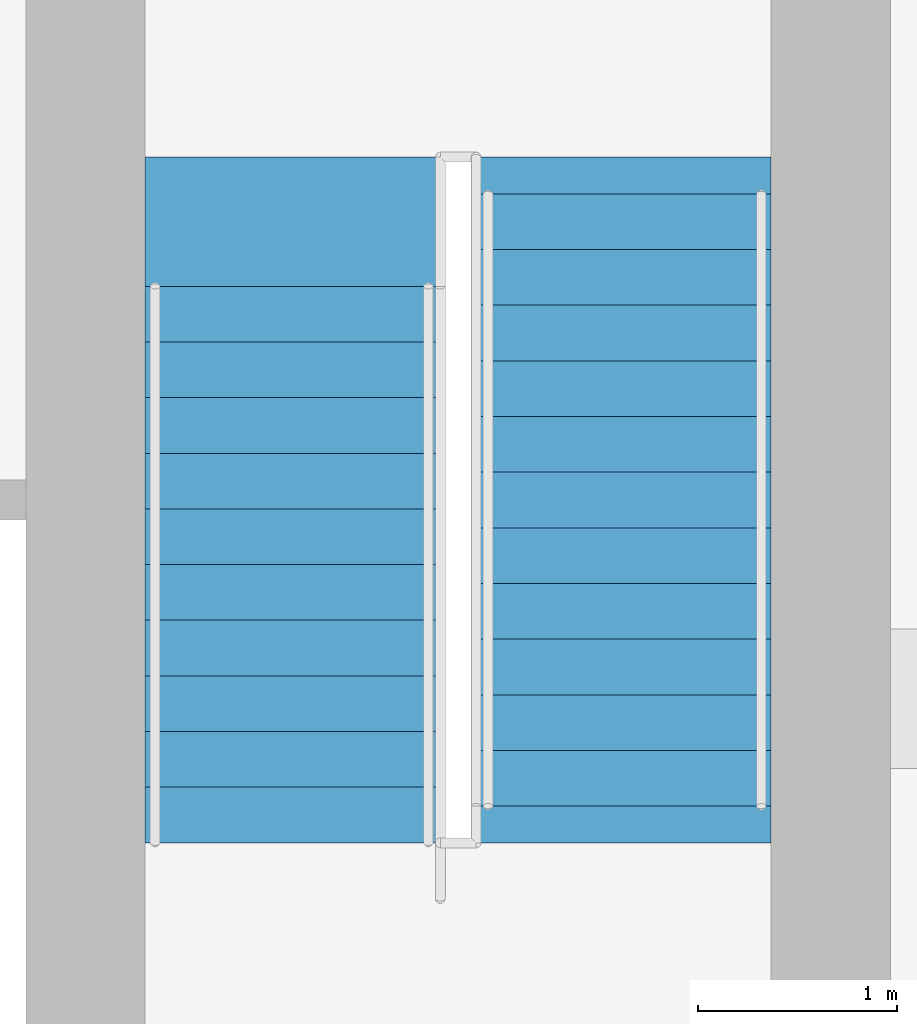
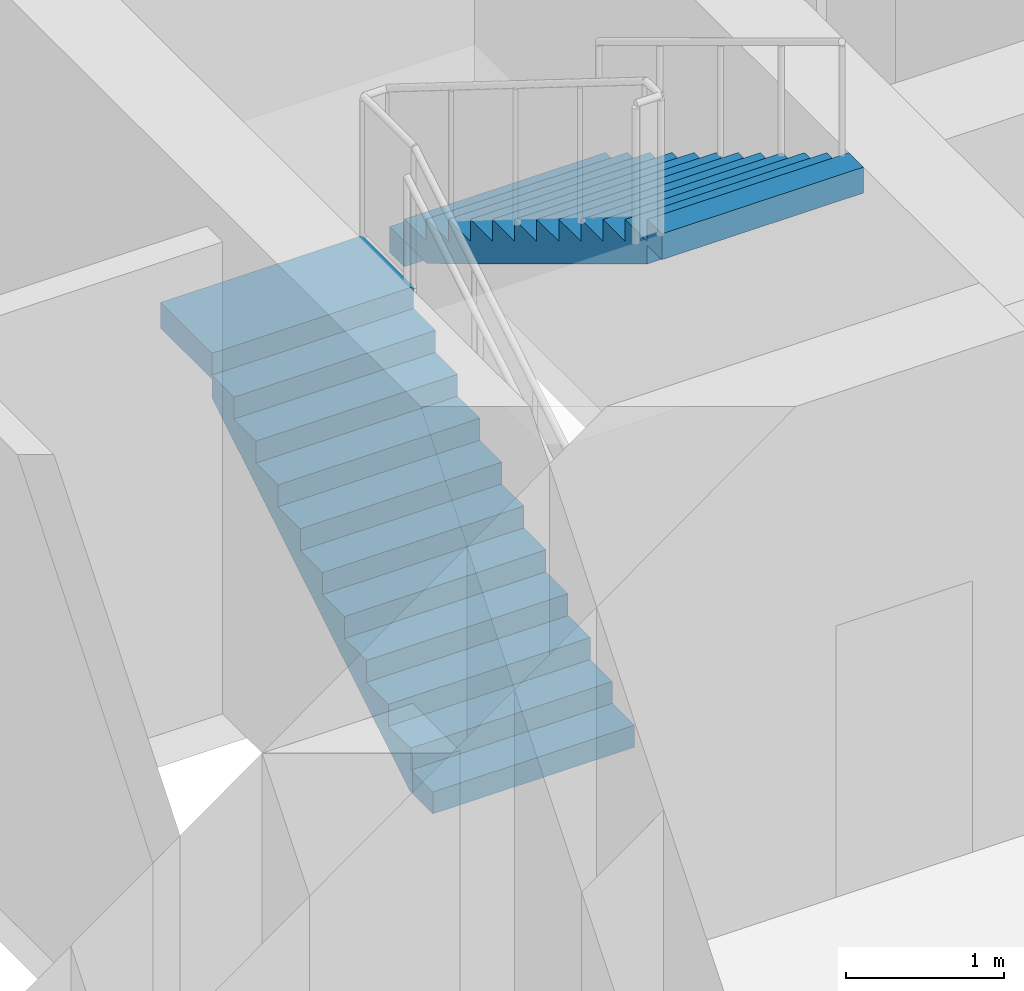
# One storey, part 6 of 7: 2 stair flights, 1 element without a shape of its own.
"""IFC4 building model written with IfcOpenShell, lengths in metres."""

from ifc_helpers import new_model, si_unit, direction, frame, origin, place, context, subcontext, project, spatial, polyline, outline, extrude, material, type_object, element, aggregate, save


model = new_model("IFC4")

# Units and contexts
model_context = context("Model", 3, precision=1e-05, world=origin(), true_north=direction((0.0, 1.0)))
body_context = subcontext(model_context, "Body", "Model", "MODEL_VIEW")
ifc_project = project(units=[si_unit("LENGTHUNIT", "METRE"), si_unit("AREAUNIT", "SQUARE_METRE"), si_unit("VOLUMEUNIT", "CUBIC_METRE"), si_unit("PLANEANGLEUNIT", "RADIAN"), si_unit("MASSUNIT", "GRAM", prefix="KILO")], contexts=[model_context])

# Site, building, storey
site_placement = place(None, origin())
site = spatial("IfcSite", under=ifc_project, at=site_placement, CompositionType="ELEMENT")
building_placement = place(site_placement, origin())
building = spatial("IfcBuilding", under=site, at=building_placement, Name="Kilele Tower Hotel", CompositionType="ELEMENT")
storey_placement = place(building_placement, frame((0.0, 0.0, 240.800048828125)))
storey = spatial("IfcBuildingStorey", under=building, at=storey_placement, Name="L62", CompositionType="ELEMENT", Elevation=240.800048828125)

# Stair, stair flights
ifc_material_1 = material(Name="Precast concrete C40/50", Category="concrete")
stair_type = type_object("IfcStairType", Name="Stair 1475 x 3900", PredefinedType="HALF_TURN_STAIR", material=ifc_material_1)
stair_placement = place(storey_placement, origin())
stair = element("IfcStair", 1, at=stair_placement, inside=storey, type_object=stair_type, Name="Stair 2 L62", PredefinedType="HALF_TURN_STAIR")
ifc_material_2 = material(Name="Precast concrete C40/50", Category="concrete")
stair_flight_type = type_object("IfcStairFlightType", Name="Flight 1475 riser 169.6", PredefinedType="STRAIGHT", material=ifc_material_2)
stair_flight_1_placement = place(storey_placement, frame((33.28759765625, 21.77490234375, 0.0), z_axis=(0.0, 0.0, 1.0), x_axis=(0.0, 1.0, 0.0)))
stair_flight_1 = element("IfcStairFlight", 2, at=stair_flight_1_placement, type_object=stair_flight_type, Name="ST2 flight 1", NumberOfRisers=11, NumberOfTreads=10, PredefinedType="STRAIGHT", RiserHeight=0.169565217, TreadLength=0.28, context=body_context, shape_type="SweptSolid", body=[
    extrude(outline(polyline([(0.0, 0.0), (0.0, 0.169677734375), (0.280029296875, 0.169677734375), (0.280029296875, 0.339111328125), (0.56005859375, 0.339111328125), (0.56005859375, 0.5087890625), (0.840087890625, 0.5087890625), (0.840087890625, 0.67822265625), (1.1201171875, 0.67822265625), (1.1201171875, 0.847900390625), (1.39990234375, 0.847900390625), (1.39990234375, 1.017333984375), (1.679931640625, 1.017333984375), (1.679931640625, 1.18701171875), (1.9599609375, 1.18701171875), (1.9599609375, 1.3564453125), (2.239990234375, 1.3564453125), (2.239990234375, 1.526123046875), (2.52001953125, 1.526123046875), (2.52001953125, 1.695556640625), (2.800048828125, 1.695556640625), (2.800048828125, 1.865234375), (2.800048828125, 1.5205078125), (0.289306640625, 0.0), (0.0, 0.0)])), frame((0.0, 0.737548828125, 0.0), z_axis=(0.0, -1.0, 0.0), x_axis=(1.0, 0.0, 0.0)), (0.0, 0.0, 1.0), 1.47509765625),
    extrude(outline(polyline([(2.800048828125, 0.737548828125), (2.800048828125, -0.7373046875), (3.4501953125, -0.7373046875), (3.4501953125, 0.737548828125), (2.800048828125, 0.737548828125)])), frame((0.0, 0.0, 1.6650390625)), (0.0, 0.0, 1.0), 0.199951171875),
])
stair_flight_2_placement = place(storey_placement, frame((34.96240234375, 25.0400390625, 1.865234375), z_axis=(0.0, 0.0, 1.0), x_axis=(0.0, -1.0, 0.0)))
stair_flight_2 = element("IfcStairFlight", 3, at=stair_flight_2_placement, type_object=stair_flight_type, Name="ST2 flight 2", NumberOfRisers=12, NumberOfTreads=11, PredefinedType="STRAIGHT", RiserHeight=0.169565217, TreadLength=0.28, context=body_context, shape_type="SweptSolid", body=[
    extrude(outline(polyline([(0.0, 0.0), (0.0, 0.169677734375), (0.280029296875, 0.169677734375), (0.280029296875, 0.339111328125), (0.56005859375, 0.339111328125), (0.56005859375, 0.5087890625), (0.840087890625, 0.5087890625), (0.840087890625, 0.67822265625), (1.1201171875, 0.67822265625), (1.1201171875, 0.847900390625), (1.39990234375, 0.847900390625), (1.39990234375, 1.017333984375), (1.679931640625, 1.017333984375), (1.679931640625, 1.18701171875), (1.9599609375, 1.18701171875), (1.9599609375, 1.3564453125), (2.239990234375, 1.3564453125), (2.239990234375, 1.526123046875), (2.52001953125, 1.526123046875), (2.52001953125, 1.695556640625), (2.800048828125, 1.695556640625), (2.800048828125, 1.865234375), (3.080078125, 1.865234375), (3.080078125, 2.03466796875), (3.080078125, 1.68994140625), (0.289306640625, 0.0), (0.0, 0.0)])), frame((0.0, 0.737548828125, 0.0), z_axis=(0.0, -1.0, 0.0), x_axis=(1.0, 0.0, 0.0)), (0.0, 0.0, 1.0), 1.47509765625),
    extrude(outline(polyline([(0.0, -0.7373046875), (0.0, 0.737548828125), (-0.18505859375, 0.737548828125), (-0.18505859375, -0.7373046875), (0.0, -0.7373046875)])), frame((0.0, 0.0, -0.2001953125)), (0.0, 0.0, 1.0), 0.199951171875),
    extrude(outline(polyline([(3.26513671875, -0.7373046875), (3.26513671875, 0.737548828125), (3.080078125, 0.737548828125), (3.080078125, -0.7373046875), (3.26513671875, -0.7373046875)])), frame((0.0, 0.0, 1.834716796875)), (0.0, 0.0, 1.0), 0.199951171875),
])
aggregate(stair, [stair_flight_1, stair_flight_2])

save(model, "model.ifc")
